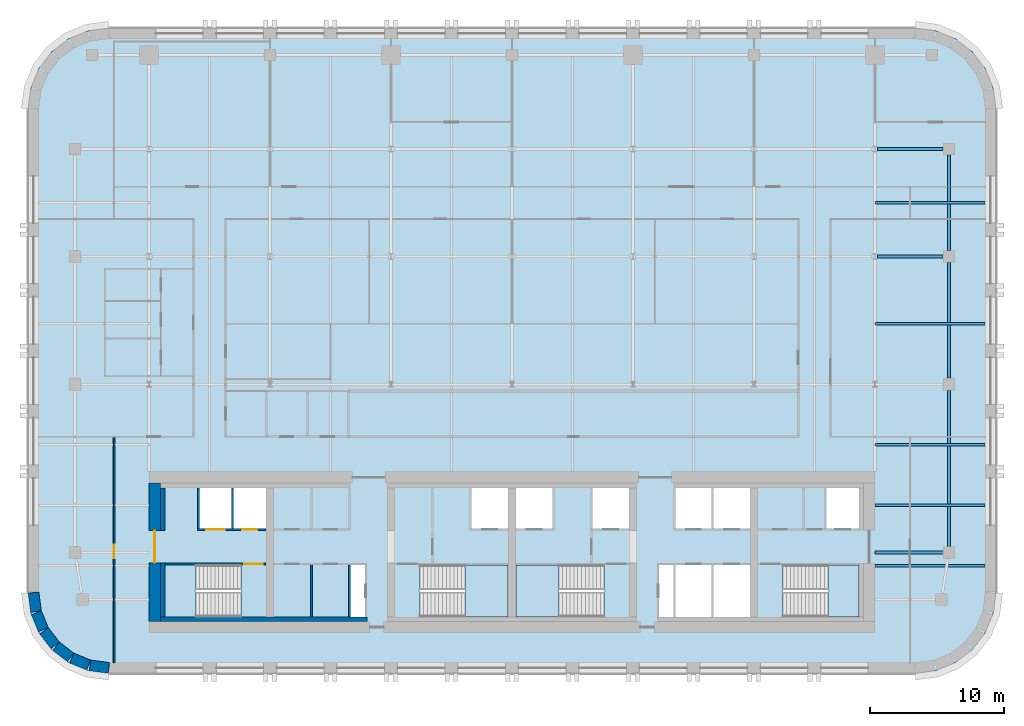
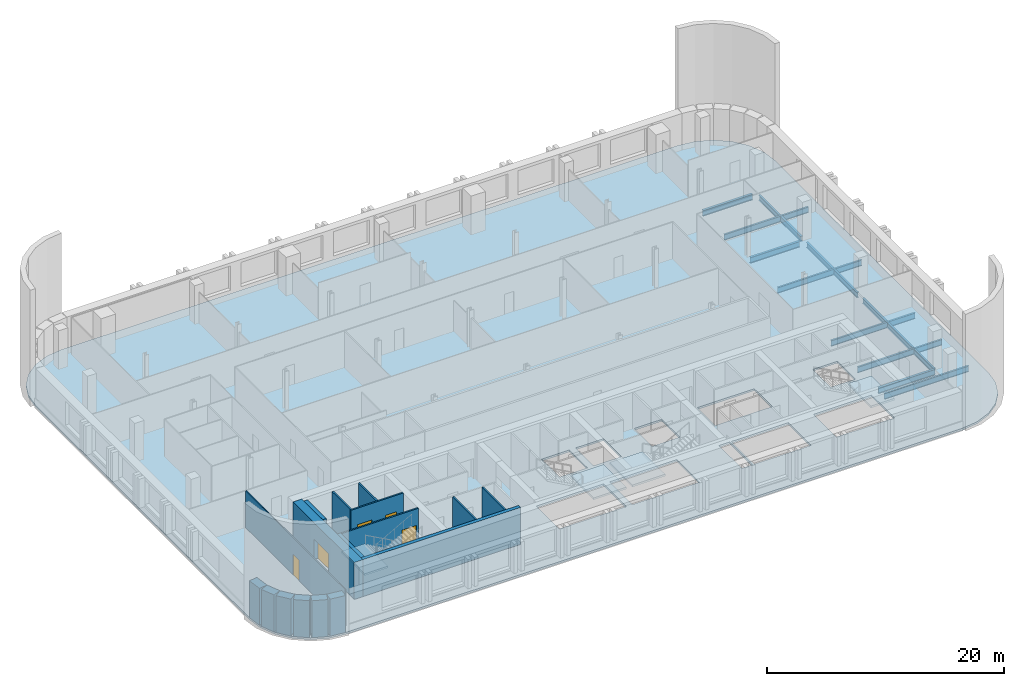
# One storey, part 2 of 9: 17 walls, 11 beams, 5 doors, 5 slabs, 5 openings, 4 elements without a shape of their own.
"""IFC4 building model written with IfcOpenShell, lengths in metres."""

from ifc_helpers import new_model, si_unit, direction, frame, frame_2d, origin, origin_2d, place, context, subcontext, project, spatial, polyline, rectangle, i_section, outline, extrude, material, layer, layer_set, material_profile, profile_set, type_object, element, fill, aggregate, save


model = new_model("IFC4")

# Units and contexts
model_context = context("Model", 3, precision=1e-05, world=origin(), true_north=direction((0.0, 1.0)))
body_context = subcontext(model_context, "Body", "Model", "MODEL_VIEW")
ifc_project = project(units=[si_unit("LENGTHUNIT", "METRE"), si_unit("AREAUNIT", "SQUARE_METRE"), si_unit("VOLUMEUNIT", "CUBIC_METRE"), si_unit("PLANEANGLEUNIT", "RADIAN"), si_unit("MASSUNIT", "GRAM", prefix="KILO")], contexts=[model_context])

# Site, building, storey
site_placement = place(None, origin())
site = spatial("IfcSite", under=ifc_project, at=site_placement, CompositionType="ELEMENT")
building_placement = place(site_placement, origin())
building = spatial("IfcBuilding", under=site, at=building_placement, Name="Zellij Exchange Tower", CompositionType="ELEMENT")
storey_placement = place(building_placement, frame((0.0, 0.0, 176.5)))
storey = spatial("IfcBuildingStorey", under=building, at=storey_placement, Name="L40", CompositionType="ELEMENT", Elevation=176.5)

# Beams
ifc_material_1 = material(Name="Structural steel ASTM A992 Gr 50", Category="steel")
ifc_material_profile_1 = material_profile(ifc_material_1, i_section(OverallWidth=0.177978515625, OverallDepth=0.599365234375, WebThickness=0.010009765625, FlangeThickness=0.012939453125, at=origin_2d()), Name="W24x55")
ifc_profile_set_1 = profile_set([ifc_material_profile_1], Name="Structural steel ASTM A992 Gr 50")
beam_type_1 = type_object("IfcBeamType", Name="STR-BEAM W24x55", PredefinedType="BEAM", material=ifc_profile_set_1)
for number, where, z_axis, x_axis, name in (
    (1, (27.0, -9.0, -0.499755859375), (1.0, 0.0, 0.0), (0.0, 1.0, 0.0), "B4"),
    (2, (27.0, -4.5, -0.499755859375), (1.0, 0.0, 0.0), (0.0, 1.0, 0.0), "B4"),
    (3, (27.0, 0.0, -0.499755859375), (1.0, 0.0, 0.0), (0.0, 1.0, 0.0), "B4"),
    (4, (27.0, 9.0, -0.499755859375), (1.0, 0.0, 0.0), (0.0, 1.0, 0.0), "B4"),
    (5, (27.0, 18.0, -0.499755859375), (1.0, 0.0, 0.0), (0.0, 1.0, 0.0), "B4"),
):
    element("IfcBeam", number, at=place(storey_placement, frame(where, z_axis=z_axis, x_axis=x_axis)), inside=storey, type_object=beam_type_1, Name=name, PredefinedType="BEAM", context=body_context, shape_type="SweptSolid", body=[
        extrude(i_section(OverallWidth=0.177978515625, OverallDepth=0.599365234375, WebThickness=0.010009765625, FlangeThickness=0.012939453125, at=origin_2d()), origin(), (0.0, 0.0, 1.0), 8.199951171875),
    ])
ifc_material_profile_2 = material_profile(ifc_material_1, i_section(OverallWidth=0.209228515625, OverallDepth=0.533447265625, WebThickness=0.01025390625, FlangeThickness=0.015625, at=origin_2d()), Name="W21x62")
ifc_profile_set_2 = profile_set([ifc_material_profile_2], Name="Structural steel ASTM A992 Gr 50")
beam_type_2 = type_object("IfcBeamType", Name="STR-EDGE GIRDER W21x62", PredefinedType="BEAM", material=ifc_profile_set_2)
beam_1_placement = place(storey_placement, frame((32.5, -8.0, -0.466796875), z_axis=(0.0, 1.0, 0.0), x_axis=(-1.0, 0.0, 0.0)))
element("IfcBeam", 6, at=beam_1_placement, inside=storey, type_object=beam_type_2, Name="EB3", PredefinedType="BEAM", context=body_context, shape_type="SweptSolid", body=[
    extrude(i_section(OverallWidth=0.209228515625, OverallDepth=0.533447265625, WebThickness=0.01025390625, FlangeThickness=0.015625, at=origin_2d()), origin(), (0.0, 0.0, 1.0), 12.050048828125),
])
beam_2_placement = place(storey_placement, frame((32.5, 4.949951171875, -0.466796875), z_axis=(0.0, 1.0, 0.0), x_axis=(-1.0, 0.0, 0.0)))
element("IfcBeam", 7, at=beam_2_placement, inside=storey, type_object=beam_type_2, Name="EB3", PredefinedType="BEAM", context=body_context, shape_type="SweptSolid", body=[
    extrude(i_section(OverallWidth=0.209228515625, OverallDepth=0.533447265625, WebThickness=0.01025390625, FlangeThickness=0.015625, at=origin_2d()), origin(), (0.0, 0.0, 1.0), 8.60009765625),
])
beam_3_placement = place(storey_placement, frame((32.5, 14.449951171875, -0.466796875), z_axis=(0.0, 1.0, 0.0), x_axis=(-1.0, 0.0, 0.0)))
element("IfcBeam", 8, at=beam_3_placement, inside=storey, type_object=beam_type_2, Name="EB3", PredefinedType="BEAM", context=body_context, shape_type="SweptSolid", body=[
    extrude(i_section(OverallWidth=0.209228515625, OverallDepth=0.533447265625, WebThickness=0.01025390625, FlangeThickness=0.015625, at=origin_2d()), origin(), (0.0, 0.0, 1.0), 7.10009765625),
])
ifc_material_profile_3 = material_profile(ifc_material_1, i_section(OverallWidth=0.228271484375, OverallDepth=0.607177734375, WebThickness=0.01123046875, FlangeThickness=0.017333984375, at=origin_2d()), Name="W24x76")
ifc_profile_set_3 = profile_set([ifc_material_profile_3], Name="Structural steel ASTM A992 Gr 50")
beam_type_3 = type_object("IfcBeamType", Name="STR-GIRDER W24x76", PredefinedType="BEAM", material=ifc_profile_set_3)
beam_4_placement = place(storey_placement, frame((27.0, -8.0, -0.50341796875), z_axis=(1.0, 0.0, 0.0), x_axis=(0.0, 1.0, 0.0)))
element("IfcBeam", 9, at=beam_4_placement, inside=storey, type_object=beam_type_3, Name="G2", PredefinedType="BEAM", context=body_context, shape_type="SweptSolid", body=[
    extrude(i_section(OverallWidth=0.228271484375, OverallDepth=0.607177734375, WebThickness=0.01123046875, FlangeThickness=0.017333984375, at=origin_2d()), origin(), (0.0, 0.0, 1.0), 5.5),
])
for number, where, z_axis, x_axis, name in (
    (10, (27.20458984375, 14.0, -0.50341796875), (1.0, 0.0, 0.0), (0.0, 1.0, 0.0), "G2"),
    (11, (27.20458984375, 22.0, -0.50341796875), (1.0, 0.0, 0.0), (0.0, 1.0, 0.0), "G2"),
):
    element("IfcBeam", number, at=place(storey_placement, frame(where, z_axis=z_axis, x_axis=x_axis)), inside=storey, type_object=beam_type_3, Name=name, PredefinedType="BEAM", context=body_context, shape_type="SweptSolid", body=[
        extrude(i_section(OverallWidth=0.228271484375, OverallDepth=0.607177734375, WebThickness=0.01123046875, FlangeThickness=0.017333984375, at=origin_2d()), origin(), (0.0, 0.0, 1.0), 4.845458984375),
    ])

# Stair, slab
ifc_material_2 = material(Name="Concrete C40/50", Category="concrete")
stair_type = type_object("IfcStairType", Name="CORE-ST exit stair 1850 wide", PredefinedType="HALF_TURN_STAIR", material=ifc_material_2)
stair_1_placement = place(storey_placement, origin())
stair_1 = element("IfcStair", 12, at=stair_1_placement, inside=storey, type_object=stair_type, Name="L40 exit stair ST1", PredefinedType="HALF_TURN_STAIR")
ifc_layer_1 = layer(ifc_material_2, 0.199951171875)
ifc_layer_set_1 = layer_set([ifc_layer_1], Name="Concrete C40/50")
slab_type_1 = type_object("IfcSlabType", Name="CORE-SL stair landing 200", PredefinedType="LANDING", material=ifc_layer_set_1)
slab_1_placement = place(storey_placement, frame((0.0, 0.0, 1.800048828125)))
slab_1 = element("IfcSlab", 13, at=slab_1_placement, type_object=slab_type_1, Name="ST1 landing 1", PredefinedType="LANDING", context=body_context, shape_type="SweptSolid", body=[
    extrude(outline(polyline([(-23.510009765625, -8.949951171875), (-25.800048828125, -8.949951171875), (-25.800048828125, -12.800048828125), (-23.510009765625, -12.800048828125), (-23.510009765625, -8.949951171875)])), origin(), (0.0, 0.0, 1.0), 0.199951171875),
])
aggregate(stair_1, [slab_1])

stair_2_placement = place(storey_placement, origin())
stair_2 = element("IfcStair", 14, at=stair_2_placement, inside=storey, type_object=stair_type, Name="L40 exit stair ST2", PredefinedType="HALF_TURN_STAIR")
slab_2_placement = place(storey_placement, frame((0.0, 0.0, 1.800048828125)))
slab_2 = element("IfcSlab", 15, at=slab_2_placement, type_object=slab_type_1, Name="ST2 landing 1", PredefinedType="LANDING", context=body_context, shape_type="SweptSolid", body=[
    extrude(outline(polyline([(-3.489990234375, -12.800048828125), (-0.300048828125, -12.800048828125), (-0.300048828125, -8.949951171875), (-3.489990234375, -8.949951171875), (-3.489990234375, -12.800048828125)])), origin(), (0.0, 0.0, 1.0), 0.199951171875),
])
aggregate(stair_2, [slab_2])

stair_3_placement = place(storey_placement, origin())
stair_3 = element("IfcStair", 16, at=stair_3_placement, inside=storey, type_object=stair_type, Name="L40 exit stair ST3", PredefinedType="HALF_TURN_STAIR")
slab_3_placement = place(storey_placement, frame((0.0, 0.0, 1.800048828125)))
slab_3 = element("IfcSlab", 17, at=slab_3_placement, type_object=slab_type_1, Name="ST3 landing 1", PredefinedType="LANDING", context=body_context, shape_type="SweptSolid", body=[
    extrude(outline(polyline([(3.489990234375, -8.949951171875), (0.300048828125, -8.949951171875), (0.300048828125, -12.800048828125), (3.489990234375, -12.800048828125), (3.489990234375, -8.949951171875)])), origin(), (0.0, 0.0, 1.0), 0.199951171875),
])
aggregate(stair_3, [slab_3])

stair_4_placement = place(storey_placement, origin())
stair_4 = element("IfcStair", 18, at=stair_4_placement, inside=storey, type_object=stair_type, Name="L40 exit stair ST4", PredefinedType="HALF_TURN_STAIR")
slab_4_placement = place(storey_placement, frame((0.0, 0.0, 1.800048828125)))
slab_4 = element("IfcSlab", 19, at=slab_4_placement, type_object=slab_type_1, Name="ST4 landing 1", PredefinedType="LANDING", context=body_context, shape_type="SweptSolid", body=[
    extrude(outline(polyline([(23.510009765625, -12.800048828125), (25.800048828125, -12.800048828125), (25.800048828125, -8.949951171875), (23.510009765625, -8.949951171875), (23.510009765625, -12.800048828125)])), origin(), (0.0, 0.0, 1.0), 0.199951171875),
])
aggregate(stair_4, [slab_4])

# Slab
ifc_layer_2 = layer(ifc_material_2, 0.199951171875)
ifc_layer_set_2 = layer_set([ifc_layer_2], Name="Concrete C40/50")
slab_type_2 = type_object("IfcSlabType", Name="STR-FLOOR SLAB 200 C40/50", PredefinedType="FLOOR", material=ifc_layer_set_2)
slab_5_placement = place(storey_placement, frame((0.0, 0.0, -0.2001953125)))
element("IfcSlab", 20, at=slab_5_placement, inside=storey, type_object=slab_type_2, Name="Floor L40", PredefinedType="FLOOR", context=body_context, shape_type="SweptSolid", body=[
    extrude(outline(polyline([(-30.0, -17.0), (-31.552978515625, -16.795654296875), (-33.0, -16.1962890625), (-34.24267578125, -15.24267578125), (-35.1962890625, -14.0), (-35.795654296875, -12.552978515625), (-36.0, -11.0), (-36.0, 25.0), (-35.795654296875, 26.552978515625), (-35.1962890625, 28.0), (-34.24267578125, 29.24267578125), (-33.0, 30.1962890625), (-31.552978515625, 30.795654296875), (-30.0, 31.0), (30.0, 31.0), (31.552978515625, 30.795654296875), (33.0, 30.1962890625), (34.24267578125, 29.24267578125), (35.1962890625, 28.0), (35.795654296875, 26.552978515625), (36.0, 25.0), (36.0, -11.0), (35.795654296875, -12.552978515625), (35.1962890625, -14.0), (34.24267578125, -15.24267578125), (33.0, -16.1962890625), (31.552978515625, -16.795654296875), (30.0, -17.0), (-30.0, -17.0)]), holes=[polyline([(-25.800048828125, -8.949951171875), (-25.800048828125, -12.800048828125), (-20.153076171875, -12.800048828125), (-20.153076171875, -8.949951171875), (-25.800048828125, -8.949951171875)]), polyline([(-10.949951171875, -8.949951171875), (-12.0, -8.949951171875), (-12.0, -12.800048828125), (-10.949951171875, -12.800048828125), (-10.949951171875, -8.949951171875)]), polyline([(-0.300048828125, -8.949951171875), (-6.846923828125, -8.949951171875), (-6.846923828125, -12.800048828125), (-0.300048828125, -12.800048828125), (-0.300048828125, -8.949951171875)]), polyline([(0.300048828125, -8.949951171875), (0.300048828125, -12.800048828125), (6.846923828125, -12.800048828125), (6.846923828125, -8.949951171875), (0.300048828125, -8.949951171875)]), polyline([(-18.300048828125, -3.199951171875), (-23.25, -3.199951171875), (-23.25, -6.22509765625), (-18.300048828125, -6.22509765625), (-18.300048828125, -3.199951171875)]), polyline([(-0.300048828125, -3.199951171875), (-3.0, -3.199951171875), (-3.0, -6.22509765625), (-0.300048828125, -6.22509765625), (-0.300048828125, -3.199951171875)]), polyline([(0.300048828125, -3.199951171875), (0.300048828125, -6.22509765625), (3.0, -6.22509765625), (3.0, -3.199951171875), (0.300048828125, -3.199951171875)]), polyline([(12.0, -8.949951171875), (10.949951171875, -8.949951171875), (10.949951171875, -12.800048828125), (12.0, -12.800048828125), (12.0, -8.949951171875)]), polyline([(17.699951171875, -8.949951171875), (12.14990234375, -8.949951171875), (12.14990234375, -12.800048828125), (17.699951171875, -12.800048828125), (17.699951171875, -8.949951171875)]), polyline([(25.800048828125, -8.949951171875), (20.153076171875, -8.949951171875), (20.153076171875, -12.800048828125), (25.800048828125, -12.800048828125), (25.800048828125, -8.949951171875)]), polyline([(8.699951171875, -3.199951171875), (6.0, -3.199951171875), (6.0, -6.22509765625), (8.699951171875, -6.22509765625), (8.699951171875, -3.199951171875)]), polyline([(17.699951171875, -3.199951171875), (12.14990234375, -3.199951171875), (12.14990234375, -6.22509765625), (17.699951171875, -6.22509765625), (17.699951171875, -3.199951171875)]), polyline([(25.800048828125, -3.199951171875), (23.39990234375, -3.199951171875), (23.39990234375, -6.22509765625), (25.800048828125, -6.22509765625), (25.800048828125, -3.199951171875)])]), origin(), (0.0, 0.0, 1.0), 0.2001953125),
])

# Walls
ifc_material_3 = material(Name="Concrete C30/37", Category="concrete")
ifc_layer_3 = layer(ifc_material_3, 0.35009765625)
ifc_layer_set_3 = layer_set([ifc_layer_3], Name="Concrete C30/37")
wall_type_1 = type_object("IfcWallType", Name="CORE-LW 350 C30/37", PredefinedType="SHEAR", material=ifc_layer_set_3)
wall_1_placement = place(storey_placement, frame((-26.14990234375, -12.97509765625, 0.0), z_axis=(0.0, 0.0, 1.0), x_axis=(1.0, 0.0, 0.0)))
element("IfcWall", 21, at=wall_1_placement, inside=storey, type_object=wall_type_1, Name="Core wall lining rear.0 L40", PredefinedType="SHEAR", context=body_context, shape_type="SweptSolid", body=[
    extrude(rectangle(XDim=15.349853515625, YDim=0.35009765625, at=frame_2d((7.6748046875, 0.0))), origin(), (0.0, 0.0, 1.0), 3.800048828125),
])
wall_2_placement = place(storey_placement, frame((-25.97509765625, -12.800048828125, 0.0), z_axis=(0.0, 0.0, 1.0), x_axis=(0.0, 1.0, 0.0)))
element("IfcWall", 22, at=wall_2_placement, inside=storey, type_object=wall_type_1, Name="Core wall lining end w.0 L40", PredefinedType="SHEAR", context=body_context, shape_type="SweptSolid", body=[
    extrude(rectangle(XDim=4.0, YDim=0.35009765625, at=frame_2d((2.0, 0.0))), origin(), (0.0, 0.0, 1.0), 3.800048828125),
])
wall_3_placement = place(storey_placement, frame((-25.97509765625, -6.375, 0.0), z_axis=(0.0, 0.0, 1.0), x_axis=(0.0, 1.0, 0.0)))
element("IfcWall", 23, at=wall_3_placement, inside=storey, type_object=wall_type_1, Name="Core wall lining end w.1 L40", PredefinedType="SHEAR", context=body_context, shape_type="SweptSolid", body=[
    extrude(rectangle(XDim=3.175048828125, YDim=0.35009765625, at=frame_2d((1.58740234375, 0.0))), origin(), (0.0, 0.0, 1.0), 3.800048828125),
])
ifc_material_4 = material(Name="Gypsum board partition")
ifc_layer_4 = layer(ifc_material_4, 0.14990234375)
ifc_layer_set_4 = layer_set([ifc_layer_4], Name="Gypsum board partition")
wall_type_2 = type_object("IfcWallType", Name="CORE-PW 150 Lift lobby wall", PredefinedType="PARTITIONING", material=ifc_layer_set_4)
for number, where, z_axis, x_axis, name in (
    (24, (-12.074951171875, -12.800048828125, 0.0), (0.0, 0.0, 1.0), (0.0, 1.0, 0.0), "Lift lobby wall L40"),
    (25, (-14.925048828125, -12.800048828125, 0.0), (0.0, 0.0, 1.0), (0.0, 1.0, 0.0), "Lift lobby wall L40"),
):
    element("IfcWall", number, at=place(storey_placement, frame(where, z_axis=z_axis, x_axis=x_axis)), inside=storey, type_object=wall_type_2, Name=name, PredefinedType="PARTITIONING", context=body_context, shape_type="SweptSolid", body=[
        extrude(rectangle(XDim=3.85009765625, YDim=0.14990234375, at=frame_2d((1.925048828125, 0.0))), origin(), (0.0, 0.0, 1.0), 3.800048828125),
    ])
ifc_material_5 = material(Name="Gypsum shaft wall system")
ifc_layer_5 = layer(ifc_material_5, 0.14990234375)
ifc_layer_set_5 = layer_set([ifc_layer_5], Name="Gypsum shaft wall system")
wall_type_3 = type_object("IfcWallType", Name="CORE-PW 150 Lift shaft wall", PredefinedType="PARTITIONING", material=ifc_layer_set_5)
for number, where, z_axis, x_axis, name in (
    (26, (-20.77490234375, -6.22509765625, 0.0), (0.0, 0.0, 1.0), (0.0, 1.0, 0.0), "Lift shaft wall L40"),
    (27, (-23.324951171875, -6.22509765625, 0.0), (0.0, 0.0, 1.0), (0.0, 1.0, 0.0), "Lift shaft wall L40"),
):
    element("IfcWall", number, at=place(storey_placement, frame(where, z_axis=z_axis, x_axis=x_axis)), inside=storey, type_object=wall_type_3, Name=name, PredefinedType="PARTITIONING", context=body_context, shape_type="SweptSolid", body=[
        extrude(rectangle(XDim=3.025146484375, YDim=0.14990234375, at=frame_2d((1.5126953125, 0.0))), origin(), (0.0, 0.0, 1.0), 3.800048828125),
    ])

# Wall, openings, doors
wall_4_placement = place(storey_placement, frame((-23.39990234375, -6.300048828125, 0.0), z_axis=(0.0, 0.0, 1.0), x_axis=(1.0, 0.0, 0.0)))
wall_4 = element("IfcWall", 28, at=wall_4_placement, inside=storey, type_object=wall_type_3, Name="Lift shaft wall L40", PredefinedType="PARTITIONING", context=body_context, shape_type="SweptSolid", body=[
    extrude(rectangle(XDim=5.099853515625, YDim=0.14990234375, at=frame_2d((2.5498046875, 0.0))), origin(), (0.0, 0.0, 1.0), 3.800048828125),
])
opening_1_placement = place(wall_4_placement, frame((0.64990234375, 0.0, 0.0)))
opening_1 = element("IfcOpeningElement", 29, at=opening_1_placement, cuts=wall_4, Name="Opening CA-22.02", PredefinedType="OPENING", context=body_context, shape_type="SweptSolid", body=[
    extrude(rectangle(XDim=1.39990234375, YDim=2.10009765625, at=frame_2d((0.699951171875, 1.050048828125))), frame((0.0, 0.0869140625, 0.0), z_axis=(0.0, -1.0, 0.0), x_axis=(1.0, 0.0, 0.0)), (0.0, 0.0, 1.0), 0.173828125),
])
opening_2_placement = place(wall_4_placement, frame((3.35009765625, 0.0, 0.0)))
opening_2 = element("IfcOpeningElement", 30, at=opening_2_placement, cuts=wall_4, Name="Opening CA-22.03", PredefinedType="OPENING", context=body_context, shape_type="SweptSolid", body=[
    extrude(rectangle(XDim=1.10009765625, YDim=2.10009765625, at=frame_2d((0.550048828125, 1.050048828125))), frame((0.0, 0.0869140625, 0.0), z_axis=(0.0, -1.0, 0.0), x_axis=(1.0, 0.0, 0.0)), (0.0, 0.0, 1.0), 0.173828125),
])
ifc_material_6 = material(Name="Hollow metal fire door")
door_type_1 = type_object("IfcDoorType", Name="CORE-D LD Lift landing door 1100x2100 1.5 HR", OperationType="NOTDEFINED", PredefinedType="DOOR", material=ifc_material_6)
door_1_placement = place(opening_2_placement, origin())
door_1 = element("IfcDoor", 31, at=door_1_placement, inside=storey, type_object=door_type_1, Name="Lift landing door CA-22.03", OperationType="SLIDING_TO_LEFT", OverallHeight=2.10009765625, OverallWidth=1.10009765625, PredefinedType="DOOR", context=body_context, shape_type="SweptSolid", body=[
    extrude(rectangle(XDim=1.10009765625, YDim=2.10009765625, at=frame_2d((0.550048828125, 1.050048828125))), frame((0.0, 0.02490234375, 0.0), z_axis=(0.0, -1.0, 0.0), x_axis=(1.0, 0.0, 0.0)), (0.0, 0.0, 1.0), 0.050048828125),
])
fill(opening_2, door_1)
door_type_2 = type_object("IfcDoorType", Name="CORE-D LD2 Service lift landing door 1400x2100 1.5 HR", OperationType="NOTDEFINED", PredefinedType="DOOR", material=ifc_material_6)
door_2_placement = place(opening_1_placement, origin())
door_2 = element("IfcDoor", 32, at=door_2_placement, inside=storey, type_object=door_type_2, Name="Service lift landing door CA-22.02", OperationType="SLIDING_TO_RIGHT", OverallHeight=2.10009765625, OverallWidth=1.39990234375, PredefinedType="DOOR", context=body_context, shape_type="SweptSolid", body=[
    extrude(rectangle(XDim=1.39990234375, YDim=2.10009765625, at=frame_2d((0.699951171875, 1.050048828125))), frame((0.0, 0.02490234375, 0.0), z_axis=(0.0, -1.0, 0.0), x_axis=(1.0, 0.0, 0.0)), (0.0, 0.0, 1.0), 0.050048828125),
])
fill(opening_1, door_2)

# Wall, opening, door
ifc_material_7 = material(Name="Concrete C60/75", Category="concrete")
ifc_layer_6 = layer(ifc_material_7, 0.85009765625)
ifc_layer_set_6 = layer_set([ifc_layer_6], Name="Concrete C60/75")
wall_type_4 = type_object("IfcWallType", Name="CORE-SW 850 C60/75", PredefinedType="SHEAR", material=ifc_layer_set_6)
wall_5_placement = place(storey_placement, frame((-26.574951171875, -13.14990234375, 0.0), z_axis=(0.0, 0.0, 1.0), x_axis=(0.0, 1.0, 0.0)))
wall_5 = element("IfcWall", 33, at=wall_5_placement, inside=storey, type_object=wall_type_4, Name="Core shear wall end w L40", PredefinedType="SHEAR", context=body_context, shape_type="SweptSolid", body=[
    extrude(rectangle(XDim=10.2998046875, YDim=0.85009765625, at=frame_2d((5.14990234375, 0.0))), origin(), (0.0, 0.0, 1.0), 3.800048828125),
])
opening_3_placement = place(wall_5_placement, frame((4.362060546875, 0.0, 0.0)))
opening_3 = element("IfcOpeningElement", 34, at=opening_3_placement, cuts=wall_5, Name="Opening CA-22.01", PredefinedType="OPENING", context=body_context, shape_type="SweptSolid", body=[
    extrude(rectangle(XDim=2.39990234375, YDim=2.10009765625, at=frame_2d((1.199951171875, 1.050048828125))), frame((0.0, 0.43701171875, 0.0), z_axis=(0.0, -1.0, 0.0), x_axis=(1.0, 0.0, 0.0)), (0.0, 0.0, 1.0), 0.8740234375),
])
door_type_3 = type_object("IfcDoorType", Name="CORE-D CE Core entrance door 2400x2100 20 MIN", OperationType="NOTDEFINED", PredefinedType="DOOR", material=ifc_material_6)
door_3_placement = place(opening_3_placement, origin())
door_3 = element("IfcDoor", 35, at=door_3_placement, inside=storey, type_object=door_type_3, Name="Core entrance door CA-22.01", OperationType="DOUBLE_DOOR_SINGLE_SWING", OverallHeight=2.10009765625, OverallWidth=2.39990234375, PredefinedType="DOOR", context=body_context, shape_type="SweptSolid", body=[
    extrude(rectangle(XDim=2.39990234375, YDim=2.10009765625, at=frame_2d((1.199951171875, 1.050048828125))), frame((0.0, 0.02490234375, 0.0), z_axis=(0.0, -1.0, 0.0), x_axis=(1.0, 0.0, 0.0)), (0.0, 0.0, 1.0), 0.050048828125),
])
fill(opening_3, door_3)

ifc_layer_7 = layer(ifc_material_7, 0.14990234375)
ifc_layer_set_7 = layer_set([ifc_layer_7], Name="Concrete C60/75")
wall_type_5 = type_object("IfcWallType", Name="CORE-SWS 150 C60/75", PredefinedType="SHEAR", material=ifc_layer_set_7)
wall_6_placement = place(storey_placement, frame((-25.800048828125, -8.875, 0.0), z_axis=(0.0, 0.0, 1.0), x_axis=(1.0, 0.0, 0.0)))
wall_6 = element("IfcWall", 36, at=wall_6_placement, inside=storey, type_object=wall_type_5, Name="Stair enclosure wall L40", PredefinedType="SHEAR", context=body_context, shape_type="SweptSolid", body=[
    extrude(rectangle(XDim=7.5, YDim=0.14990234375, at=frame_2d((3.75, 0.0))), origin(), (0.0, 0.0, 1.0), 3.800048828125),
])
opening_4_placement = place(wall_6_placement, frame((5.875, 0.0, 0.0)))
opening_4 = element("IfcOpeningElement", 37, at=opening_4_placement, cuts=wall_6, Name="Opening CA-22.04", PredefinedType="OPENING", context=body_context, shape_type="SweptSolid", body=[
    extrude(rectangle(XDim=1.39990234375, YDim=2.10009765625, at=frame_2d((0.699951171875, 1.050048828125))), frame((0.0, 0.0869140625, 0.0), z_axis=(0.0, -1.0, 0.0), x_axis=(1.0, 0.0, 0.0)), (0.0, 0.0, 1.0), 0.173828125),
])
door_type_4 = type_object("IfcDoorType", Name="CORE-D SD Stair door 1400x2100 1.5 HR", OperationType="NOTDEFINED", PredefinedType="DOOR", material=ifc_material_6)
door_4_placement = place(opening_4_placement, origin())
door_4 = element("IfcDoor", 38, at=door_4_placement, inside=storey, type_object=door_type_4, Name="Stair door CA-22.04", OperationType="DOUBLE_DOOR_SINGLE_SWING", OverallHeight=2.10009765625, OverallWidth=1.39990234375, PredefinedType="DOOR", context=body_context, shape_type="SweptSolid", body=[
    extrude(rectangle(XDim=1.39990234375, YDim=2.10009765625, at=frame_2d((0.699951171875, 1.050048828125))), frame((0.0, 0.02490234375, 0.0), z_axis=(0.0, -1.0, 0.0), x_axis=(1.0, 0.0, 0.0)), (0.0, 0.0, 1.0), 0.050048828125),
])
fill(opening_4, door_4)

# Walls
ifc_material_8 = material(Name="Precast concrete C40/50", Category="concrete")
ifc_layer_8 = layer(ifc_material_8, 0.800048828125)
ifc_layer_set_8 = layer_set([ifc_layer_8], Name="Precast concrete C40/50")
wall_type_6 = type_object("IfcWallType", Name="ENV-EW1 Precast stone-piered wall 800", PredefinedType="SOLIDWALL", material=ifc_layer_set_8)
wall_7_placement = place(storey_placement, frame((-35.5966796875, -10.999755859375, 0.0), z_axis=(0.0, 0.0, 1.0), x_axis=(0.130517283865, -0.99144603414, 0.0)))
element("IfcWall", 39, at=wall_7_placement, inside=storey, type_object=wall_type_6, Name="fac.L40.22", PredefinedType="SOLIDWALL", context=body_context, shape_type="SweptSolid", body=[
    extrude(rectangle(XDim=1.408447265625, YDim=0.800048828125, at=frame_2d((0.7041015625, 0.0))), origin(), (0.0, 0.0, 1.0), 3.800048828125),
])
wall_8_placement = place(storey_placement, frame((-35.3857421875, -12.497314453125, 0.0), z_axis=(0.0, 0.0, 1.0), x_axis=(0.38276009378, -0.923847774587, 0.0)))
element("IfcWall", 40, at=wall_8_placement, inside=storey, type_object=wall_type_6, Name="fac.L40.23", PredefinedType="SOLIDWALL", context=body_context, shape_type="SweptSolid", body=[
    extrude(rectangle(XDim=1.35546875, YDim=0.800048828125, at=frame_2d((0.677734375, 0.0))), origin(), (0.0, 0.0, 1.0), 3.800048828125),
])
for number, where, z_axis, x_axis, name in (
    (41, (-34.814697265625, -13.840087890625, 0.0), (0.0, 0.0, 1.0), (0.608866226366, -0.793272915452, 0.0), "fac.L40.24"),
    (42, (-33.91552734375, -14.9892578125, 0.0), (0.0, 0.0, 1.0), (0.793272915452, -0.608866226366, 0.0), "fac.L40.25"),
):
    element("IfcWall", number, at=place(storey_placement, frame(where, z_axis=z_axis, x_axis=x_axis)), inside=storey, type_object=wall_type_6, Name=name, PredefinedType="SOLIDWALL", context=body_context, shape_type="SweptSolid", body=[
        extrude(rectangle(XDim=1.355712890625, YDim=0.800048828125, at=frame_2d((0.677734375, 0.0))), origin(), (0.0, 0.0, 1.0), 3.800048828125),
    ])
wall_9_placement = place(storey_placement, frame((-32.74951171875, -15.866943359375, 0.0), z_axis=(0.0, 0.0, 1.0), x_axis=(0.923847774587, -0.38276009378, 0.0)))
element("IfcWall", 43, at=wall_9_placement, inside=storey, type_object=wall_type_6, Name="fac.L40.26", PredefinedType="SOLIDWALL", context=body_context, shape_type="SweptSolid", body=[
    extrude(rectangle(XDim=1.35546875, YDim=0.800048828125, at=frame_2d((0.677734375, 0.0))), origin(), (0.0, 0.0, 1.0), 3.800048828125),
])
wall_10_placement = place(storey_placement, frame((-31.396240234375, -16.412841796875, 0.0), z_axis=(0.0, 0.0, 1.0), x_axis=(0.99144603414, -0.130517283865, 0.0)))
element("IfcWall", 44, at=wall_10_placement, inside=storey, type_object=wall_type_6, Name="fac.L40.27", PredefinedType="SOLIDWALL", context=body_context, shape_type="SweptSolid", body=[
    extrude(rectangle(XDim=1.408447265625, YDim=0.800048828125, at=frame_2d((0.7041015625, 0.0))), origin(), (0.0, 0.0, 1.0), 3.800048828125),
])

# Wall, opening, door
ifc_material_9 = material(Name="Gypsum board partition on steel studs", Category="steel")
ifc_layer_9 = layer(ifc_material_9, 0.10009765625)
ifc_layer_set_9 = layer_set([ifc_layer_9], Name="Gypsum board partition on steel studs")
wall_type_7 = type_object("IfcWallType", Name="FIT-PARTITION-100", PredefinedType="PARTITIONING", material=ifc_layer_set_9)
wall_11_placement = place(storey_placement, frame((-29.60009765625, -16.199951171875, 0.0), z_axis=(0.0, 0.0, 1.0), x_axis=(0.0, 1.0, 0.0)))
wall_11 = element("IfcWall", 45, at=wall_11_placement, inside=storey, type_object=wall_type_7, Name="FIT-PARTITION-100 001", PredefinedType="PARTITIONING", context=body_context, shape_type="SweptSolid", body=[
    extrude(rectangle(XDim=16.75, YDim=0.10009765625, at=frame_2d((8.375, 0.0))), origin(), (0.0, 0.0, 1.0), 3.800048828125),
])
opening_5_placement = place(wall_11_placement, frame((7.75, 0.0, 0.0)))
opening_5 = element("IfcOpeningElement", 46, at=opening_5_placement, cuts=wall_11, Name="Opening O3B.01", PredefinedType="OPENING", context=body_context, shape_type="SweptSolid", body=[
    extrude(rectangle(XDim=1.0, YDim=2.10009765625, at=frame_2d((0.5, 1.050048828125))), frame((0.0, 0.06201171875, 0.0), z_axis=(0.0, -1.0, 0.0), x_axis=(1.0, 0.0, 0.0)), (0.0, 0.0, 1.0), 0.1240234375),
])
ifc_material_10 = material(Name="Timber door set", Category="wood")
door_type_5 = type_object("IfcDoorType", Name="FIT-D2-WIDE-1000X2100", OperationType="SINGLE_SWING_LEFT", PredefinedType="DOOR", material=ifc_material_10)
door_5_placement = place(opening_5_placement, origin())
door_5 = element("IfcDoor", 47, at=door_5_placement, inside=storey, type_object=door_type_5, Name="Door O3B.01", OperationType="SINGLE_SWING_RIGHT", OverallHeight=2.10009765625, OverallWidth=1.0, PredefinedType="DOOR", context=body_context, shape_type="SweptSolid", body=[
    extrude(rectangle(XDim=1.0, YDim=2.10009765625, at=frame_2d((0.5, 1.050048828125))), frame((0.0, 0.02490234375, 0.0), z_axis=(0.0, -1.0, 0.0), x_axis=(1.0, 0.0, 0.0)), (0.0, 0.0, 1.0), 0.050048828125),
])
fill(opening_5, door_5)

save(model, "model.ifc")
